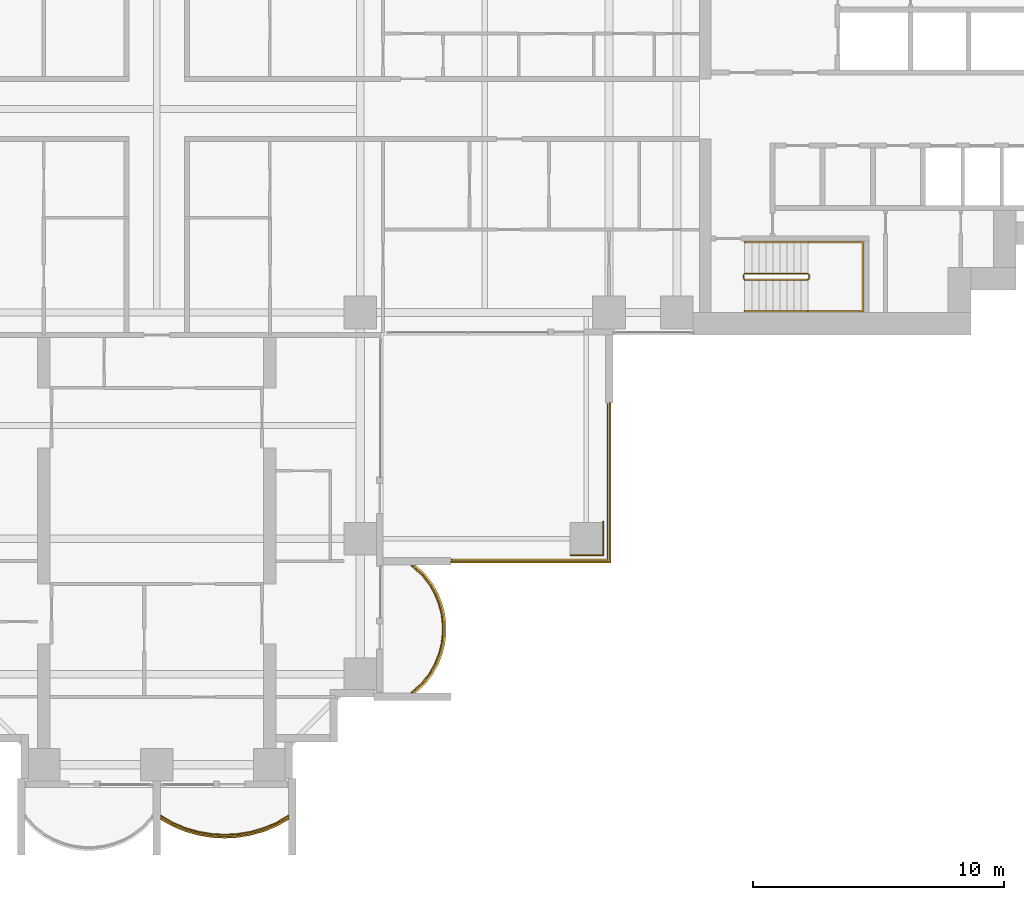
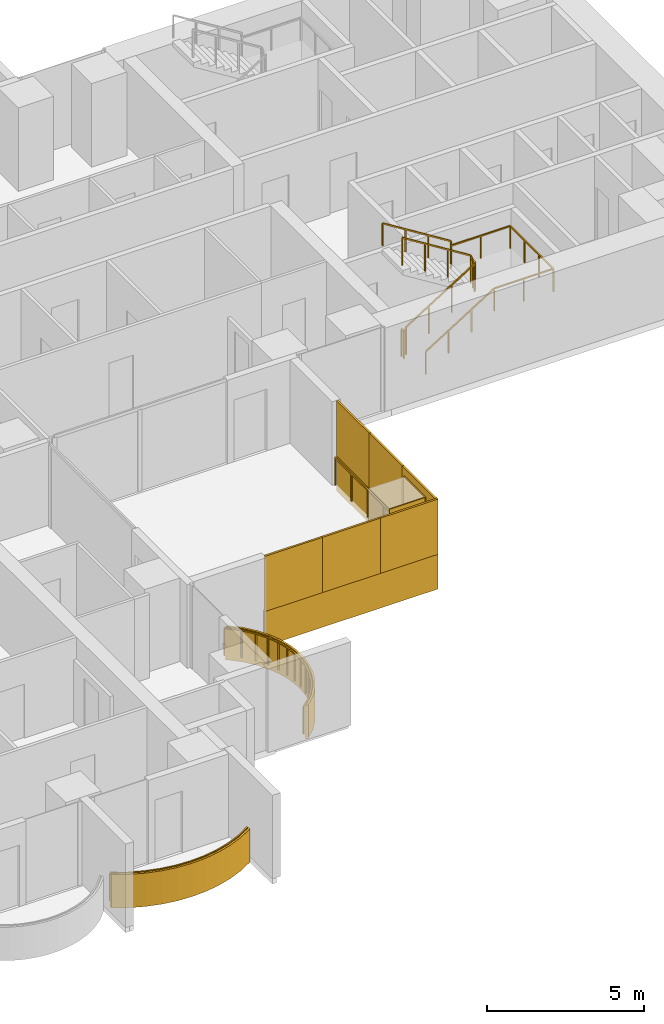
# One storey, part 19 of 21: 11 coverings, 5 railings.
"""IFC4 building model written with IfcOpenShell, lengths in metres."""

from ifc_helpers import new_model, si_unit, direction, frame, origin, origin_2d, place, context, subcontext, project, spatial, polyline, rectangle, outline, extrude, material, layer, layer_set, type_object, element, save


model = new_model("IFC4")

# Units and contexts
model_context = context("Model", 3, precision=1e-05, world=origin(), true_north=direction((0.0, 1.0)))
body_context = subcontext(model_context, "Body", "Model", "MODEL_VIEW")
ifc_project = project(units=[si_unit("LENGTHUNIT", "METRE"), si_unit("AREAUNIT", "SQUARE_METRE"), si_unit("VOLUMEUNIT", "CUBIC_METRE"), si_unit("PLANEANGLEUNIT", "RADIAN"), si_unit("MASSUNIT", "GRAM", prefix="KILO")], contexts=[model_context])

# Site, building, storey
site_placement = place(None, origin())
site = spatial("IfcSite", under=ifc_project, at=site_placement, CompositionType="ELEMENT")
building_placement = place(site_placement, origin())
building = spatial("IfcBuilding", under=site, at=building_placement, Name="Perihelion Cross Residences", CompositionType="ELEMENT")
storey_placement = place(building_placement, frame((0.0, 0.0, 43.5)))
storey = spatial("IfcBuildingStorey", under=building, at=storey_placement, Name="L07", CompositionType="ELEMENT", Elevation=43.5)

# Coverings
ifc_material_1 = material(Name="Bronze anodised aluminium", Category="aluminium")
ifc_layer_1 = layer(ifc_material_1, 0.070068359375)
ifc_layer_set_1 = layer_set([ifc_layer_1], Name="Balcony fascia 1300")
covering_type_1 = type_object("IfcCoveringType", Name="Balcony fascia 1300", PredefinedType="CLADDING", material=ifc_layer_set_1)
covering_1_placement = place(storey_placement, frame((0.0, 0.0, -0.199951171875)))
element("IfcCovering", 1, at=covering_1_placement, inside=storey, type_object=covering_type_1, Name="Fascia BF1 L07 south tip south bay 2", PredefinedType="CLADDING", context=body_context, shape_type="SweptSolid", body=[
    extrude(outline(polyline([(0.629638671875, -28.54833984375), (1.147216796875, -28.7607421875), (1.664794921875, -28.906494140625), (2.182373046875, -28.991943359375), (2.699951171875, -29.02001953125), (3.217529296875, -28.991943359375), (3.735107421875, -28.906494140625), (4.2529296875, -28.7607421875), (4.7705078125, -28.54833984375), (5.25, -28.2802734375), (5.25, -28.199951171875), (4.739990234375, -28.4853515625), (4.22998046875, -28.694580078125), (3.719970703125, -28.838134765625), (3.2099609375, -28.92236328125), (2.699951171875, -28.949951171875), (2.18994140625, -28.92236328125), (1.679931640625, -28.838134765625), (1.169921875, -28.694580078125), (0.659912109375, -28.4853515625), (0.14990234375, -28.199951171875), (0.14990234375, -28.2802734375), (0.629638671875, -28.54833984375)])), origin(), (0.0, 0.0, 1.0), 1.300048828125),
])
covering_2_placement = place(storey_placement, frame((0.0, 0.0, -0.199951171875)))
element("IfcCovering", 2, at=covering_2_placement, inside=storey, type_object=covering_type_1, Name="Fascia BF1 L07 south side east bay 1", PredefinedType="CLADDING", context=body_context, shape_type="SweptSolid", body=[
    extrude(outline(polyline([(10.674072265625, -22.90478515625), (10.982666015625, -22.50390625), (11.20654296875, -22.10302734375), (11.364013671875, -21.7021484375), (11.464599609375, -21.30126953125), (11.513916015625, -20.900390625), (11.513916015625, -20.49951171875), (11.464599609375, -20.0986328125), (11.364013671875, -19.69775390625), (11.20654296875, -19.296875), (10.982666015625, -18.89599609375), (10.674072265625, -18.4951171875), (10.302734375, -18.14990234375), (10.199951171875, -18.14990234375), (10.622314453125, -18.542236328125), (10.924072265625, -18.9345703125), (11.143310546875, -19.326904296875), (11.29736328125, -19.71923828125), (11.39599609375, -20.111572265625), (11.444091796875, -20.50390625), (11.444091796875, -20.896240234375), (11.39599609375, -21.28857421875), (11.29736328125, -21.6806640625), (11.143310546875, -22.072998046875), (10.924072265625, -22.46533203125), (10.622314453125, -22.857666015625), (10.199951171875, -23.25), (10.302734375, -23.25), (10.674072265625, -22.90478515625)])), origin(), (0.0, 0.0, 1.0), 1.300048828125),
])

# Railings
ifc_material_2 = material(Name="Bronze anodised aluminium", Category="aluminium")
railing_type_1 = type_object("IfcRailingType", Name="Balcony guard 1100", PredefinedType="GUARDRAIL", material=ifc_material_2)
railing_1_placement = place(storey_placement, frame((0.175048828125, -28.139892578125, 0.0)))
element("IfcRailing", 3, at=railing_1_placement, inside=storey, type_object=railing_type_1, Name="Guard GU1 L07 south tip south bay 2 balcony", PredefinedType="GUARDRAIL", context=body_context, shape_type="SweptSolid", body=[
    extrude(rectangle(XDim=0.048095703125, YDim=0.048095703125, at=origin_2d()), frame((0.0, 0.0, 1.076171875), z_axis=(0.861789164031, -0.507266632806, 0.0), x_axis=(0.507266632806, 0.861789164031, 0.0)), (0.0, 0.0, 1.0), 0.562744140625),
    extrude(rectangle(XDim=0.048095703125, YDim=0.048095703125, at=origin_2d()), frame((0.48486328125, -0.285400390625, 1.076171875), z_axis=(0.925172605972, -0.379546636342, 0.0), x_axis=(0.379546636342, 0.925172605972, 0.0)), (0.0, 0.0, 1.0), 0.55126953125),
    extrude(rectangle(XDim=0.048095703125, YDim=0.048095703125, at=origin_2d()), frame((0.994873046875, -0.49462890625, 1.076171875), z_axis=(0.962474364231, -0.271372618732, 0.0), x_axis=(0.271372618732, 0.962474364231, 0.0)), (0.0, 0.0, 1.0), 0.52978515625),
    extrude(rectangle(XDim=0.048095703125, YDim=0.048095703125, at=origin_2d()), frame((1.5048828125, -0.638427734375, 1.076171875), z_axis=(0.986711211531, -0.162483799314, 0.0), x_axis=(0.162483799314, 0.986711211531, 0.0)), (0.0, 0.0, 1.0), 0.516845703125),
    extrude(rectangle(XDim=0.048095703125, YDim=0.048095703125, at=origin_2d()), frame((2.014892578125, -0.722412109375, 1.076171875), z_axis=(0.998540183677, -0.05401390175, 0.0), x_axis=(0.05401390175, 0.998540183677, 0.0)), (0.0, 0.0, 1.0), 0.5107421875),
    extrude(rectangle(XDim=0.048095703125, YDim=0.048095703125, at=origin_2d()), frame((2.52490234375, -0.75, 1.076171875), z_axis=(0.998540183677, 0.05401390175, 0.0), x_axis=(-0.05401390175, 0.998540183677, 0.0)), (0.0, 0.0, 1.0), 0.5107421875),
    extrude(rectangle(XDim=0.048095703125, YDim=0.048095703125, at=origin_2d()), frame((3.034912109375, -0.722412109375, 1.076171875), z_axis=(0.986711211531, 0.162483799314, 0.0), x_axis=(-0.162483799314, 0.986711211531, 0.0)), (0.0, 0.0, 1.0), 0.516845703125),
    extrude(rectangle(XDim=0.048095703125, YDim=0.048095703125, at=origin_2d()), frame((3.544921875, -0.638427734375, 1.076171875), z_axis=(0.962474364231, 0.271372618732, 0.0), x_axis=(-0.271372618732, 0.962474364231, 0.0)), (0.0, 0.0, 1.0), 0.52978515625),
    extrude(rectangle(XDim=0.048095703125, YDim=0.048095703125, at=origin_2d()), frame((4.054931640625, -0.49462890625, 1.076171875), z_axis=(0.925172605972, 0.379546636342, 0.0), x_axis=(-0.379546636342, 0.925172605972, 0.0)), (0.0, 0.0, 1.0), 0.55126953125),
    extrude(rectangle(XDim=0.048095703125, YDim=0.048095703125, at=origin_2d()), frame((4.56494140625, -0.285400390625, 1.076171875), z_axis=(0.861900760591, 0.507076995033, 0.0), x_axis=(-0.507076995033, 0.861900760591, 0.0)), (0.0, 0.0, 1.0), 0.562744140625),
    extrude(rectangle(XDim=0.0419921875, YDim=0.0419921875, at=origin_2d()), origin(), (0.0, 0.0, 1.0), 1.052001953125),
    extrude(rectangle(XDim=0.0419921875, YDim=0.0419921875, at=origin_2d()), frame((0.48486328125, -0.285400390625, 0.0)), (0.0, 0.0, 1.0), 1.052001953125),
    extrude(rectangle(XDim=0.0419921875, YDim=0.0419921875, at=origin_2d()), frame((0.994873046875, -0.49462890625, 0.0)), (0.0, 0.0, 1.0), 1.052001953125),
    extrude(rectangle(XDim=0.0419921875, YDim=0.0419921875, at=origin_2d()), frame((1.5048828125, -0.638427734375, 0.0)), (0.0, 0.0, 1.0), 1.052001953125),
    extrude(rectangle(XDim=0.0419921875, YDim=0.0419921875, at=origin_2d()), frame((2.014892578125, -0.722412109375, 0.0)), (0.0, 0.0, 1.0), 1.052001953125),
    extrude(rectangle(XDim=0.0419921875, YDim=0.0419921875, at=origin_2d()), frame((2.52490234375, -0.75, 0.0)), (0.0, 0.0, 1.0), 1.052001953125),
    extrude(rectangle(XDim=0.0419921875, YDim=0.0419921875, at=origin_2d()), frame((3.034912109375, -0.722412109375, 0.0)), (0.0, 0.0, 1.0), 1.052001953125),
    extrude(rectangle(XDim=0.0419921875, YDim=0.0419921875, at=origin_2d()), frame((3.544921875, -0.638427734375, 0.0)), (0.0, 0.0, 1.0), 1.052001953125),
    extrude(rectangle(XDim=0.0419921875, YDim=0.0419921875, at=origin_2d()), frame((4.054931640625, -0.49462890625, 0.0)), (0.0, 0.0, 1.0), 1.052001953125),
    extrude(rectangle(XDim=0.0419921875, YDim=0.0419921875, at=origin_2d()), frame((4.56494140625, -0.285400390625, 0.0)), (0.0, 0.0, 1.0), 1.052001953125),
    extrude(rectangle(XDim=0.0419921875, YDim=0.0419921875, at=origin_2d()), frame((5.050048828125, 0.0, 0.0)), (0.0, 0.0, 1.0), 1.052001953125),
])
railing_2_placement = place(storey_placement, frame((10.139892578125, -23.22509765625, 0.0)))
element("IfcRailing", 4, at=railing_2_placement, inside=storey, type_object=railing_type_1, Name="Guard GU1 L07 south side east bay 1 balcony", PredefinedType="GUARDRAIL", context=body_context, shape_type="SweptSolid", body=[
    extrude(rectangle(XDim=0.048095703125, YDim=0.048095703125, at=origin_2d()), frame((0.0, 0.0, 1.076171875), z_axis=(0.754464673757, 0.656340655493, 0.0), x_axis=(-0.656340655493, 0.754464673757, 0.0)), (0.0, 0.0, 1.0), 0.559814453125),
    extrude(rectangle(XDim=0.048095703125, YDim=0.048095703125, at=origin_2d()), frame((0.42236328125, 0.367431640625, 1.076171875), z_axis=(0.60966308455, 0.792660660899, 0.0), x_axis=(-0.792660660899, 0.60966308455, 0.0)), (0.0, 0.0, 1.0), 0.494873046875),
    extrude(rectangle(XDim=0.048095703125, YDim=0.048095703125, at=origin_2d()), frame((0.72412109375, 0.759765625, 1.076171875), z_axis=(0.487809182674, 0.872950285698, 0.0), x_axis=(-0.872950285698, 0.487809182674, 0.0)), (0.0, 0.0, 1.0), 0.449462890625),
    extrude(rectangle(XDim=0.048095703125, YDim=0.048095703125, at=origin_2d()), frame((0.943359375, 1.152099609375, 1.076171875), z_axis=(0.365491079925, 0.930814842219, 0.0), x_axis=(-0.930814842219, 0.365491079925, 0.0)), (0.0, 0.0, 1.0), 0.42138671875),
    extrude(rectangle(XDim=0.048095703125, YDim=0.048095703125, at=origin_2d()), frame((1.097412109375, 1.54443359375, 1.076171875), z_axis=(0.243956193074, 0.969786252666, 0.0), x_axis=(-0.969786252666, 0.243956193074, 0.0)), (0.0, 0.0, 1.0), 0.404296875),
    extrude(rectangle(XDim=0.048095703125, YDim=0.048095703125, at=origin_2d()), frame((1.196044921875, 1.9365234375, 1.076171875), z_axis=(0.121677797999, 0.992569651699, 0.0), x_axis=(-0.992569651699, 0.121677797999, 0.0)), (0.0, 0.0, 1.0), 0.395263671875),
    extrude(rectangle(XDim=0.048095703125, YDim=0.048095703125, at=origin_2d()), frame((1.244140625, 2.328857421875, 1.076171875), z_axis=(0.0, 1.0, 0.0), x_axis=(-1.0, 0.0, 0.0)), (0.0, 0.0, 1.0), 0.392333984375),
    extrude(rectangle(XDim=0.048095703125, YDim=0.048095703125, at=origin_2d()), frame((1.244140625, 2.72119140625, 1.076171875), z_axis=(-0.121677797999, 0.992569651699, 0.0), x_axis=(-0.992569651699, -0.121677797999, 0.0)), (0.0, 0.0, 1.0), 0.395263671875),
    extrude(rectangle(XDim=0.048095703125, YDim=0.048095703125, at=origin_2d()), frame((1.196044921875, 3.113525390625, 1.076171875), z_axis=(-0.243813411509, 0.969822159145, 0.0), x_axis=(-0.969822159145, -0.243813411509, 0.0)), (0.0, 0.0, 1.0), 0.404541015625),
    extrude(rectangle(XDim=0.048095703125, YDim=0.048095703125, at=origin_2d()), frame((1.097412109375, 3.505859375, 1.076171875), z_axis=(-0.365491079925, 0.930814842219, 0.0), x_axis=(-0.930814842219, -0.365491079925, 0.0)), (0.0, 0.0, 1.0), 0.42138671875),
    extrude(rectangle(XDim=0.048095703125, YDim=0.048095703125, at=origin_2d()), frame((0.943359375, 3.898193359375, 1.076171875), z_axis=(-0.487809182674, 0.872950285698, 0.0), x_axis=(-0.872950285698, -0.487809182674, 0.0)), (0.0, 0.0, 1.0), 0.449462890625),
    extrude(rectangle(XDim=0.048095703125, YDim=0.048095703125, at=origin_2d()), frame((0.72412109375, 4.29052734375, 1.076171875), z_axis=(-0.60966308455, 0.792660660899, 0.0), x_axis=(-0.792660660899, -0.60966308455, 0.0)), (0.0, 0.0, 1.0), 0.494873046875),
    extrude(rectangle(XDim=0.048095703125, YDim=0.048095703125, at=origin_2d()), frame((0.42236328125, 4.682861328125, 1.076171875), z_axis=(-0.754680648599, 0.656092309534, 0.0), x_axis=(-0.656092309534, -0.754680648599, 0.0)), (0.0, 0.0, 1.0), 0.5595703125),
    extrude(rectangle(XDim=0.0419921875, YDim=0.0419921875, at=origin_2d()), origin(), (0.0, 0.0, 1.0), 1.052001953125),
    extrude(rectangle(XDim=0.0419921875, YDim=0.0419921875, at=origin_2d()), frame((0.42236328125, 0.367431640625, 0.0)), (0.0, 0.0, 1.0), 1.052001953125),
    extrude(rectangle(XDim=0.0419921875, YDim=0.0419921875, at=origin_2d()), frame((0.72412109375, 0.759765625, 0.0)), (0.0, 0.0, 1.0), 1.052001953125),
    extrude(rectangle(XDim=0.0419921875, YDim=0.0419921875, at=origin_2d()), frame((0.943359375, 1.152099609375, 0.0)), (0.0, 0.0, 1.0), 1.052001953125),
    extrude(rectangle(XDim=0.0419921875, YDim=0.0419921875, at=origin_2d()), frame((1.097412109375, 1.54443359375, 0.0)), (0.0, 0.0, 1.0), 1.052001953125),
    extrude(rectangle(XDim=0.0419921875, YDim=0.0419921875, at=origin_2d()), frame((1.196044921875, 1.9365234375, 0.0)), (0.0, 0.0, 1.0), 1.052001953125),
    extrude(rectangle(XDim=0.0419921875, YDim=0.0419921875, at=origin_2d()), frame((1.244140625, 2.328857421875, 0.0)), (0.0, 0.0, 1.0), 1.052001953125),
    extrude(rectangle(XDim=0.0419921875, YDim=0.0419921875, at=origin_2d()), frame((1.244140625, 2.72119140625, 0.0)), (0.0, 0.0, 1.0), 1.052001953125),
    extrude(rectangle(XDim=0.0419921875, YDim=0.0419921875, at=origin_2d()), frame((1.196044921875, 3.113525390625, 0.0)), (0.0, 0.0, 1.0), 1.052001953125),
    extrude(rectangle(XDim=0.0419921875, YDim=0.0419921875, at=origin_2d()), frame((1.097412109375, 3.505859375, 0.0)), (0.0, 0.0, 1.0), 1.052001953125),
    extrude(rectangle(XDim=0.0419921875, YDim=0.0419921875, at=origin_2d()), frame((0.943359375, 3.898193359375, 0.0)), (0.0, 0.0, 1.0), 1.052001953125),
    extrude(rectangle(XDim=0.0419921875, YDim=0.0419921875, at=origin_2d()), frame((0.72412109375, 4.29052734375, 0.0)), (0.0, 0.0, 1.0), 1.052001953125),
    extrude(rectangle(XDim=0.0419921875, YDim=0.0419921875, at=origin_2d()), frame((0.42236328125, 4.682861328125, 0.0)), (0.0, 0.0, 1.0), 1.052001953125),
    extrude(rectangle(XDim=0.0419921875, YDim=0.0419921875, at=origin_2d()), frame((0.0, 5.050048828125, 0.0)), (0.0, 0.0, 1.0), 1.052001953125),
])
railing_3_placement = place(storey_placement, frame((17.93994140625, -11.739990234375, 0.0)))
element("IfcRailing", 5, at=railing_3_placement, inside=storey, type_object=railing_type_1, Name="Guard GU1 L07 pocket south-east 1", PredefinedType="GUARDRAIL", context=body_context, shape_type="SweptSolid", body=[
    extrude(rectangle(XDim=0.048095703125, YDim=0.048095703125, at=origin_2d()), frame((0.0, 0.0, 1.076171875), z_axis=(0.0, -1.0, 0.0), x_axis=(1.0, 0.0, 0.0)), (0.0, 0.0, 1.0), 6.199951171875),
    extrude(rectangle(XDim=0.048095703125, YDim=0.048095703125, at=origin_2d()), frame((0.0, -6.199951171875, 1.076171875), z_axis=(-1.0, 0.0, 0.0), x_axis=(0.0, -1.0, 0.0)), (0.0, 0.0, 1.0), 6.199951171875),
    extrude(rectangle(XDim=0.0419921875, YDim=0.0419921875, at=origin_2d()), origin(), (0.0, 0.0, 1.0), 1.052001953125),
    extrude(rectangle(XDim=0.0419921875, YDim=0.0419921875, at=origin_2d()), frame((0.0, -1.033203125, 0.0)), (0.0, 0.0, 1.0), 1.052001953125),
    extrude(rectangle(XDim=0.0419921875, YDim=0.0419921875, at=origin_2d()), frame((0.0, -2.066650390625, 0.0)), (0.0, 0.0, 1.0), 1.052001953125),
    extrude(rectangle(XDim=0.0419921875, YDim=0.0419921875, at=origin_2d()), frame((0.0, -3.10009765625, 0.0)), (0.0, 0.0, 1.0), 1.052001953125),
    extrude(rectangle(XDim=0.0419921875, YDim=0.0419921875, at=origin_2d()), frame((0.0, -4.13330078125, 0.0)), (0.0, 0.0, 1.0), 1.052001953125),
    extrude(rectangle(XDim=0.0419921875, YDim=0.0419921875, at=origin_2d()), frame((0.0, -5.16650390625, 0.0)), (0.0, 0.0, 1.0), 1.052001953125),
    extrude(rectangle(XDim=0.0419921875, YDim=0.0419921875, at=origin_2d()), frame((0.0, -6.199951171875, 0.0)), (0.0, 0.0, 1.0), 1.052001953125),
    extrude(rectangle(XDim=0.0419921875, YDim=0.0419921875, at=origin_2d()), frame((-1.033203125, -6.199951171875, 0.0)), (0.0, 0.0, 1.0), 1.052001953125),
    extrude(rectangle(XDim=0.0419921875, YDim=0.0419921875, at=origin_2d()), frame((-2.066650390625, -6.199951171875, 0.0)), (0.0, 0.0, 1.0), 1.052001953125),
    extrude(rectangle(XDim=0.0419921875, YDim=0.0419921875, at=origin_2d()), frame((-3.10009765625, -6.199951171875, 0.0)), (0.0, 0.0, 1.0), 1.052001953125),
    extrude(rectangle(XDim=0.0419921875, YDim=0.0419921875, at=origin_2d()), frame((-4.13330078125, -6.199951171875, 0.0)), (0.0, 0.0, 1.0), 1.052001953125),
    extrude(rectangle(XDim=0.0419921875, YDim=0.0419921875, at=origin_2d()), frame((-5.16650390625, -6.199951171875, 0.0)), (0.0, 0.0, 1.0), 1.052001953125),
    extrude(rectangle(XDim=0.0419921875, YDim=0.0419921875, at=origin_2d()), frame((-6.199951171875, -6.199951171875, 0.0)), (0.0, 0.0, 1.0), 1.052001953125),
])

# Coverings
ifc_material_3 = material(Name="Bronze anodised aluminium", Category="aluminium")
ifc_layer_2 = layer(ifc_material_3, 0.0400390625)
ifc_layer_set_2 = layer_set([ifc_layer_2], Name="Bronze column casing 40")
covering_type_2 = type_object("IfcCoveringType", Name="Bronze column casing 40", PredefinedType="CLADDING", material=ifc_layer_set_2)
covering_3_placement = place(storey_placement, frame((17.77001953125, -17.10009765625, -0.25), z_axis=(0.0, 0.0, 1.0), x_axis=(1.0, 0.0, 0.0)))
element("IfcCovering", 6, at=covering_3_placement, inside=storey, type_object=covering_type_2, Name="Cladding CC1 L07 casing east-west no. 3", PredefinedType="CLADDING", context=body_context, shape_type="SweptSolid", body=[
    extrude(rectangle(XDim=0.0400390625, YDim=1.3798828125, at=origin_2d()), origin(), (0.0, 0.0, 1.0), 3.5),
])
covering_4_placement = place(storey_placement, frame((17.10009765625, -17.77001953125, -0.25), z_axis=(0.0, 0.0, 1.0), x_axis=(1.0, 0.0, 0.0)))
element("IfcCovering", 7, at=covering_4_placement, inside=storey, type_object=covering_type_2, Name="Cladding CC1 L07 casing north-south no. 3", PredefinedType="CLADDING", context=body_context, shape_type="SweptSolid", body=[
    extrude(rectangle(XDim=1.300048828125, YDim=0.0400390625, at=origin_2d()), origin(), (0.0, 0.0, 1.0), 3.5),
])
ifc_material_4 = material(Name="Bronze anodised aluminium", Category="aluminium")
ifc_layer_3 = layer(ifc_material_4, 0.070068359375)
ifc_layer_set_3 = layer_set([ifc_layer_3], Name="Pocket fascia 1350")
covering_type_3 = type_object("IfcCoveringType", Name="Pocket fascia 1350", PredefinedType="CLADDING", material=ifc_layer_set_3)
covering_5_placement = place(storey_placement, frame((0.0, 0.0, -0.25)))
element("IfcCovering", 8, at=covering_5_placement, inside=storey, type_object=covering_type_3, Name="Fascia BF2 L07 pocket south-east 3", PredefinedType="CLADDING", context=body_context, shape_type="SweptSolid", body=[
    extrude(outline(polyline([(18.070068359375, -18.070068359375), (18.070068359375, -11.699951171875), (18.0, -11.699951171875), (18.0, -18.0), (11.699951171875, -18.0), (11.699951171875, -18.070068359375), (18.070068359375, -18.070068359375)])), origin(), (0.0, 0.0, 1.0), 1.35009765625),
])
ifc_material_5 = material(Name="Bronze perforated aluminium", Category="aluminium")
ifc_layer_4 = layer(ifc_material_5, 0.070068359375)
ifc_layer_set_4 = layer_set([ifc_layer_4], Name="Pocket solar screen, bronze perforated")
covering_type_4 = type_object("IfcCoveringType", Name="Pocket solar screen, bronze perforated", PredefinedType="CLADDING", material=ifc_layer_set_4)
covering_6_placement = place(storey_placement, frame((0.0, 0.0, 1.10009765625)))
element("IfcCovering", 9, at=covering_6_placement, inside=storey, type_object=covering_type_4, Name="Solar screen PS1 L07 pocket south-east no. 1", PredefinedType="CLADDING", context=body_context, shape_type="SweptSolid", body=[
    extrude(outline(polyline([(18.070068359375, -18.0), (18.070068359375, -15.89990234375), (18.0, -15.89990234375), (18.0, -18.0), (18.070068359375, -18.0)])), origin(), (0.0, 0.0, 1.0), 2.14990234375),
])
covering_7_placement = place(storey_placement, frame((0.0, 0.0, 1.10009765625)))
element("IfcCovering", 10, at=covering_7_placement, inside=storey, type_object=covering_type_4, Name="Solar screen PS1 L07 pocket south-east no. 2", PredefinedType="CLADDING", context=body_context, shape_type="SweptSolid", body=[
    extrude(outline(polyline([(18.070068359375, -15.89990234375), (18.070068359375, -13.800048828125), (18.0, -13.800048828125), (18.0, -15.89990234375), (18.070068359375, -15.89990234375)])), origin(), (0.0, 0.0, 1.0), 2.14990234375),
])
covering_8_placement = place(storey_placement, frame((0.0, 0.0, 1.10009765625)))
element("IfcCovering", 11, at=covering_8_placement, inside=storey, type_object=covering_type_4, Name="Solar screen PS1 L07 pocket south-east no. 3", PredefinedType="CLADDING", context=body_context, shape_type="SweptSolid", body=[
    extrude(outline(polyline([(18.070068359375, -13.800048828125), (18.070068359375, -11.699951171875), (18.0, -11.699951171875), (18.0, -13.800048828125), (18.070068359375, -13.800048828125)])), origin(), (0.0, 0.0, 1.0), 2.14990234375),
])
covering_9_placement = place(storey_placement, frame((0.0, 0.0, 1.10009765625)))
element("IfcCovering", 12, at=covering_9_placement, inside=storey, type_object=covering_type_4, Name="Solar screen PS1 L07 pocket south-east no. 4", PredefinedType="CLADDING", context=body_context, shape_type="SweptSolid", body=[
    extrude(outline(polyline([(13.8232421875, -18.070068359375), (13.8232421875, -18.0), (11.699951171875, -18.0), (11.699951171875, -18.070068359375), (13.8232421875, -18.070068359375)])), origin(), (0.0, 0.0, 1.0), 2.14990234375),
])
covering_10_placement = place(storey_placement, frame((0.0, 0.0, 1.10009765625)))
element("IfcCovering", 13, at=covering_10_placement, inside=storey, type_object=covering_type_4, Name="Solar screen PS1 L07 pocket south-east no. 5", PredefinedType="CLADDING", context=body_context, shape_type="SweptSolid", body=[
    extrude(outline(polyline([(15.94677734375, -18.070068359375), (15.94677734375, -18.0), (13.8232421875, -18.0), (13.8232421875, -18.070068359375), (15.94677734375, -18.070068359375)])), origin(), (0.0, 0.0, 1.0), 2.14990234375),
])
covering_11_placement = place(storey_placement, frame((0.0, 0.0, 1.10009765625)))
element("IfcCovering", 14, at=covering_11_placement, inside=storey, type_object=covering_type_4, Name="Solar screen PS1 L07 pocket south-east no. 6", PredefinedType="CLADDING", context=body_context, shape_type="SweptSolid", body=[
    extrude(outline(polyline([(18.070068359375, -18.070068359375), (18.070068359375, -18.0), (15.94677734375, -18.0), (15.94677734375, -18.070068359375), (18.070068359375, -18.070068359375)])), origin(), (0.0, 0.0, 1.0), 2.14990234375),
])

# Railings
ifc_material_6 = material(Name="Stainless steel", Category="steel")
railing_type_2 = type_object("IfcRailingType", Name="Stair guard 1100", PredefinedType="GUARDRAIL", material=ifc_material_6)
railing_4_placement = place(storey_placement, frame((23.35009765625, -6.60009765625, 0.0)))
element("IfcRailing", 15, at=railing_4_placement, inside=storey, type_object=railing_type_2, Name="L07 ST-E2 stair guard 1", PredefinedType="GUARDRAIL", context=body_context, shape_type="SweptSolid", body=[
    extrude(rectangle(XDim=0.048095703125, YDim=0.048095703125, at=origin_2d()), frame((0.0, 0.0, 1.076171875), z_axis=(0.0, -1.0, 0.0), x_axis=(1.0, 0.0, 0.0)), (0.0, 0.0, 1.0), 0.14990234375),
    extrude(rectangle(XDim=0.048095703125, YDim=0.048095703125, at=origin_2d()), frame((0.0, -0.14990234375, 1.076171875), z_axis=(0.263862480399, -0.265155923931, 0.927399011991), x_axis=(0.708833529934, 0.705375805398, 0.0)), (0.0, 0.0, 1.0), 0.188720703125),
    extrude(rectangle(XDim=0.048095703125, YDim=0.048095703125, at=origin_2d()), frame((0.0498046875, -0.199951171875, 1.2509765625), z_axis=(0.848007534815, 0.0, 0.529984170421), x_axis=(0.0, 1.0, 0.0)), (0.0, 0.0, 1.0), 2.9716796875),
    extrude(rectangle(XDim=0.048095703125, YDim=0.048095703125, at=origin_2d()), frame((2.56982421875, -0.199951171875, 2.826171875), z_axis=(0.707106781187, 0.707106781187, 0.0), x_axis=(-0.707106781187, 0.707106781187, 0.0)), (0.0, 0.0, 1.0), 0.07080078125),
    extrude(rectangle(XDim=0.048095703125, YDim=0.048095703125, at=origin_2d()), frame((2.619873046875, -0.14990234375, 2.826171875), z_axis=(0.0, 1.0, 0.0), x_axis=(-1.0, 0.0, 0.0)), (0.0, 0.0, 1.0), 0.14990234375),
    extrude(rectangle(XDim=0.048095703125, YDim=0.048095703125, at=origin_2d()), frame((2.619873046875, 0.0, 2.826171875), z_axis=(-0.265065253269, 0.265065253269, 0.927081885822), x_axis=(-0.707106781187, -0.707106781187, 0.0)), (0.0, 0.0, 1.0), 0.188720703125),
    extrude(rectangle(XDim=0.048095703125, YDim=0.048095703125, at=origin_2d()), frame((2.56982421875, 0.050048828125, 3.0009765625), z_axis=(-0.848007534815, 0.0, 0.529984170421), x_axis=(0.0, -1.0, 0.0)), (0.0, 0.0, 1.0), 2.9716796875),
    extrude(rectangle(XDim=0.0419921875, YDim=0.0419921875, at=origin_2d()), origin(), (0.0, 0.0, 1.0), 1.052001953125),
    extrude(rectangle(XDim=0.0419921875, YDim=0.0419921875, at=origin_2d()), frame((0.0, -0.14990234375, 0.0)), (0.0, 0.0, 1.0), 1.052001953125),
    extrude(rectangle(XDim=0.0419921875, YDim=0.0419921875, at=origin_2d()), frame((0.0498046875, -0.199951171875, 0.175048828125)), (0.0, 0.0, 1.0), 1.052001953125),
    extrude(rectangle(XDim=0.0419921875, YDim=0.0419921875, at=origin_2d()), frame((0.889892578125, -0.199951171875, 0.699951171875)), (0.0, 0.0, 1.0), 1.052001953125),
    extrude(rectangle(XDim=0.0419921875, YDim=0.0419921875, at=origin_2d()), frame((1.729736328125, -0.199951171875, 1.22509765625)), (0.0, 0.0, 1.0), 1.052001953125),
    extrude(rectangle(XDim=0.0419921875, YDim=0.0419921875, at=origin_2d()), frame((2.56982421875, -0.199951171875, 1.75)), (0.0, 0.0, 1.0), 1.052001953125),
    extrude(rectangle(XDim=0.0419921875, YDim=0.0419921875, at=origin_2d()), frame((2.619873046875, -0.14990234375, 1.75)), (0.0, 0.0, 1.0), 1.052001953125),
    extrude(rectangle(XDim=0.0419921875, YDim=0.0419921875, at=origin_2d()), frame((2.619873046875, 0.0, 1.75)), (0.0, 0.0, 1.0), 1.052001953125),
    extrude(rectangle(XDim=0.0419921875, YDim=0.0419921875, at=origin_2d()), frame((2.56982421875, 0.050048828125, 1.925048828125)), (0.0, 0.0, 1.0), 1.052001953125),
    extrude(rectangle(XDim=0.0419921875, YDim=0.0419921875, at=origin_2d()), frame((1.729736328125, 0.050048828125, 2.449951171875)), (0.0, 0.0, 1.0), 1.052001953125),
    extrude(rectangle(XDim=0.0419921875, YDim=0.0419921875, at=origin_2d()), frame((0.889892578125, 0.050048828125, 2.97509765625)), (0.0, 0.0, 1.0), 1.052001953125),
    extrude(rectangle(XDim=0.0419921875, YDim=0.0419921875, at=origin_2d()), frame((0.0498046875, 0.050048828125, 3.5)), (0.0, 0.0, 1.0), 1.052001953125),
])
ifc_material_7 = material(Name="Stainless steel", Category="steel")
railing_type_3 = type_object("IfcRailingType", Name="Stair handrail 900", PredefinedType="HANDRAIL", material=ifc_material_7)
railing_5_placement = place(storey_placement, frame((23.39990234375, -8.050048828125, 0.175048828125)))
element("IfcRailing", 16, at=railing_5_placement, inside=storey, type_object=railing_type_3, Name="L07 ST-E2 stair handrail 1", PredefinedType="HANDRAIL", context=body_context, shape_type="SweptSolid", body=[
    extrude(rectangle(XDim=0.048095703125, YDim=0.048095703125, at=origin_2d()), frame((0.0, 0.0, 0.8759765625), z_axis=(0.848007534815, 0.0, 0.529984170421), x_axis=(0.0, 1.0, 0.0)), (0.0, 0.0, 1.0), 2.9716796875),
    extrude(rectangle(XDim=0.048095703125, YDim=0.048095703125, at=origin_2d()), frame((2.52001953125, 0.0, 2.45068359375), z_axis=(1.0, 0.0, 0.0), x_axis=(0.0, 1.0, 0.0)), (0.0, 0.0, 1.0), 2.18017578125),
    extrude(rectangle(XDim=0.048095703125, YDim=0.048095703125, at=origin_2d()), frame((4.7001953125, 0.0, 2.45068359375), z_axis=(0.0, 1.0, 0.0), x_axis=(-1.0, 0.0, 0.0)), (0.0, 0.0, 1.0), 2.75),
    extrude(rectangle(XDim=0.048095703125, YDim=0.048095703125, at=origin_2d()), frame((4.7001953125, 2.75, 2.45068359375), z_axis=(-1.0, 0.0, 0.0), x_axis=(0.0, -1.0, 0.0)), (0.0, 0.0, 1.0), 2.18017578125),
    extrude(rectangle(XDim=0.048095703125, YDim=0.048095703125, at=origin_2d()), frame((2.52001953125, 2.75, 2.45068359375), z_axis=(0.0, 0.0, 1.0), x_axis=(1.0, 0.0, 0.0)), (0.0, 0.0, 1.0), 0.175048828125),
    extrude(rectangle(XDim=0.048095703125, YDim=0.048095703125, at=origin_2d()), frame((2.52001953125, 2.75, 2.6259765625), z_axis=(-0.848007534815, 0.0, 0.529984170421), x_axis=(0.0, -1.0, 0.0)), (0.0, 0.0, 1.0), 2.9716796875),
    extrude(rectangle(XDim=0.0419921875, YDim=0.0419921875, at=origin_2d()), origin(), (0.0, 0.0, 1.0), 0.851806640625),
    extrude(rectangle(XDim=0.0419921875, YDim=0.0419921875, at=origin_2d()), frame((0.840087890625, 0.0, 0.52490234375)), (0.0, 0.0, 1.0), 0.851806640625),
    extrude(rectangle(XDim=0.0419921875, YDim=0.0419921875, at=origin_2d()), frame((1.679931640625, 0.0, 1.050048828125)), (0.0, 0.0, 1.0), 0.851806640625),
    extrude(rectangle(XDim=0.0419921875, YDim=0.0419921875, at=origin_2d()), frame((2.52001953125, 0.0, 1.574951171875)), (0.0, 0.0, 1.0), 0.851806640625),
    extrude(rectangle(XDim=0.0419921875, YDim=0.0419921875, at=origin_2d()), frame((3.610107421875, 0.0, 1.574951171875)), (0.0, 0.0, 1.0), 0.851806640625),
    extrude(rectangle(XDim=0.0419921875, YDim=0.0419921875, at=origin_2d()), frame((4.7001953125, 0.0, 1.574951171875)), (0.0, 0.0, 1.0), 0.851806640625),
    extrude(rectangle(XDim=0.0419921875, YDim=0.0419921875, at=origin_2d()), frame((4.7001953125, 0.916748046875, 1.574951171875)), (0.0, 0.0, 1.0), 0.851806640625),
    extrude(rectangle(XDim=0.0419921875, YDim=0.0419921875, at=origin_2d()), frame((4.7001953125, 1.833251953125, 1.574951171875)), (0.0, 0.0, 1.0), 0.851806640625),
    extrude(rectangle(XDim=0.0419921875, YDim=0.0419921875, at=origin_2d()), frame((4.7001953125, 2.75, 1.574951171875)), (0.0, 0.0, 1.0), 0.851806640625),
    extrude(rectangle(XDim=0.0419921875, YDim=0.0419921875, at=origin_2d()), frame((3.610107421875, 2.75, 1.574951171875)), (0.0, 0.0, 1.0), 0.851806640625),
    extrude(rectangle(XDim=0.0419921875, YDim=0.0419921875, at=origin_2d()), frame((2.52001953125, 2.75, 1.574951171875)), (0.0, 0.0, 1.0), 0.851806640625),
    extrude(rectangle(XDim=0.0419921875, YDim=0.0419921875, at=origin_2d()), frame((2.52001953125, 2.75, 1.75)), (0.0, 0.0, 1.0), 0.851806640625),
    extrude(rectangle(XDim=0.0419921875, YDim=0.0419921875, at=origin_2d()), frame((1.679931640625, 2.75, 2.27490234375)), (0.0, 0.0, 1.0), 0.851806640625),
    extrude(rectangle(XDim=0.0419921875, YDim=0.0419921875, at=origin_2d()), frame((0.840087890625, 2.75, 2.800048828125)), (0.0, 0.0, 1.0), 0.851806640625),
    extrude(rectangle(XDim=0.0419921875, YDim=0.0419921875, at=origin_2d()), frame((0.0, 2.75, 3.324951171875)), (0.0, 0.0, 1.0), 0.851806640625),
])

save(model, "model.ifc")
